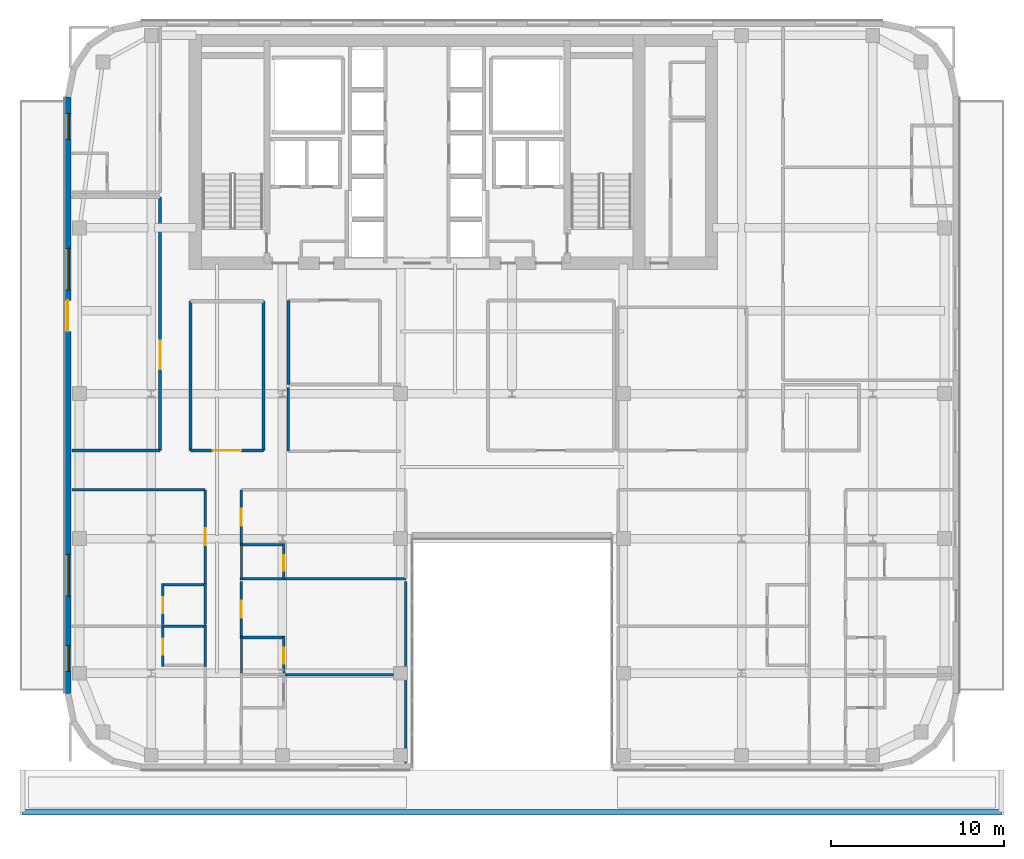
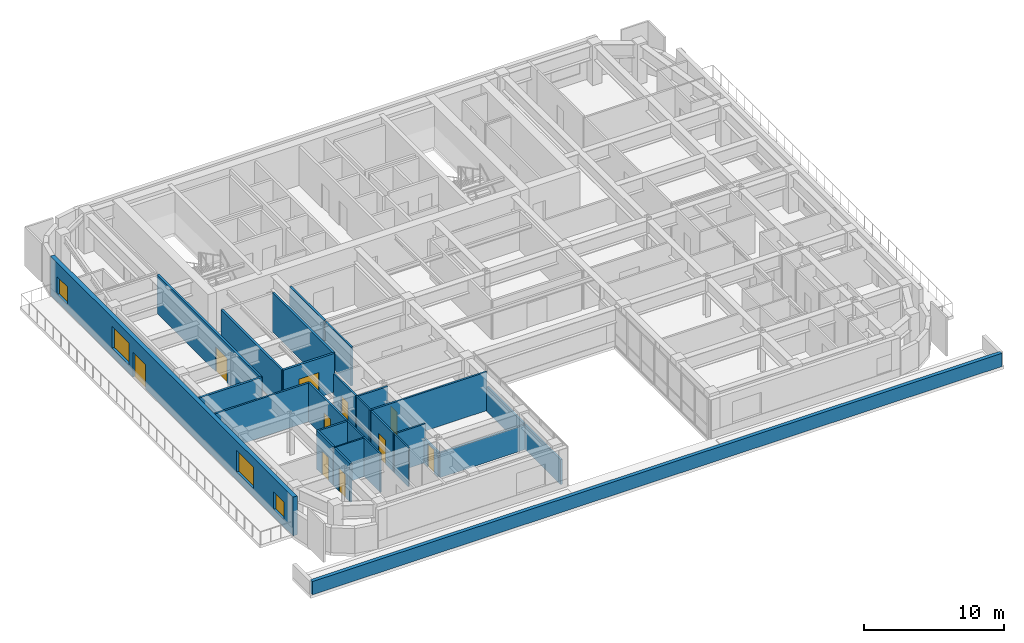
# One storey, part 10 of 20: 29 walls, 10 doors, 4 windows, 14 openings.
"""IFC4 building model written with IfcOpenShell, lengths in metres."""

from ifc_helpers import new_model, si_unit, direction, frame, frame_2d, origin, place, context, subcontext, project, spatial, rectangle, extrude, source, transform, mapped, material, layer, layer_set, type_object, type_shapes, element, fill, save


model = new_model("IFC4")

# Units and contexts
model_context = context("Model", 3, precision=1e-05, world=origin(), true_north=direction((0.0, 1.0)))
body_context = subcontext(model_context, "Body", "Model", "MODEL_VIEW")
ifc_project = project(units=[si_unit("LENGTHUNIT", "METRE"), si_unit("AREAUNIT", "SQUARE_METRE"), si_unit("VOLUMEUNIT", "CUBIC_METRE"), si_unit("PLANEANGLEUNIT", "RADIAN"), si_unit("MASSUNIT", "GRAM", prefix="KILO")], contexts=[model_context])

# Site, building, storey
site_placement = place(None, origin())
site = spatial("IfcSite", under=ifc_project, at=site_placement, CompositionType="ELEMENT")
building_placement = place(site_placement, origin())
building = spatial("IfcBuilding", under=site, at=building_placement, Name="Tolvann Quenvar Hotel", CompositionType="ELEMENT")
storey_placement = place(building_placement, frame((0.0, 0.0, 147.050048828125)))
storey = spatial("IfcBuildingStorey", under=building, at=storey_placement, Name="L38", CompositionType="ELEMENT", Elevation=147.050048828125)

# Wall, openings, windows, door
ifc_material_1 = material(Name="Kiln-fired red and buff architectural clay brickwork and terracotta masonry", Category="masonry")
ifc_layer_1 = layer(ifc_material_1, 0.35009765625)
ifc_layer_set_1 = layer_set([ifc_layer_1], Name="Kiln-fired red and buff architectural clay brickwork and terracotta masonry")
wall_type_1 = type_object("IfcWallType", Name="WALL_EXT_BRICK_350", PredefinedType="SOLIDWALL", material=ifc_layer_set_1)
wall_1_placement = place(storey_placement, frame((2.77490234375, 41.582763671875, 0.0), z_axis=(0.0, 0.0, 1.0), x_axis=(0.0, -1.0, 0.0)))
wall_1 = element("IfcWall", 1, at=wall_1_placement, inside=storey, type_object=wall_type_1, Name="Exterior Chicago Brick Wall L38-E23", PredefinedType="SOLIDWALL", context=body_context, shape_type="SweptSolid", body=[
    extrude(rectangle(XDim=34.565673828125, YDim=0.35009765625, at=frame_2d((17.28271484375, 0.0))), origin(), (0.0, 0.0, 1.0), 3.369873046875),
])
opening_1_placement = place(wall_1_placement, frame((13.5830078125, 0.0, 0.0), z_axis=(0.0, 0.0, 1.0), x_axis=(-1.0, 0.0, 0.0)))
opening_1 = element("IfcOpeningElement", 2, at=opening_1_placement, cuts=wall_1, Name="Opening TD-01", PredefinedType="OPENING", context=body_context, shape_type="SweptSolid", body=[
    extrude(rectangle(XDim=1.800048828125, YDim=2.14990234375, at=frame_2d((0.89990234375, 1.074951171875))), frame((0.0, 0.18505859375, 0.0), z_axis=(0.0, -1.0, 0.0), x_axis=(1.0, 0.0, 0.0)), (0.0, 0.0, 1.0), 0.3701171875),
])
opening_2_placement = place(wall_1_placement, frame((8.777099609375, 0.0, 0.679931640625)))
opening_2 = element("IfcOpeningElement", 3, at=opening_2_placement, cuts=wall_1, Name="Opening W-01", PredefinedType="OPENING", context=body_context, shape_type="SweptSolid", body=[
    extrude(rectangle(XDim=2.39990234375, YDim=1.89990234375, at=frame_2d((1.199951171875, 0.949951171875))), frame((0.0, 0.18505859375, 0.0), z_axis=(0.0, -1.0, 0.0), x_axis=(1.0, 0.0, 0.0)), (0.0, 0.0, 1.0), 0.3701171875),
])
opening_3_placement = place(wall_1_placement, frame((26.510009765625, 0.0, 0.679931640625)))
opening_3 = element("IfcOpeningElement", 4, at=opening_3_placement, cuts=wall_1, Name="Opening W-01", PredefinedType="OPENING", context=body_context, shape_type="SweptSolid", body=[
    extrude(rectangle(XDim=2.39990234375, YDim=1.89990234375, at=frame_2d((1.199951171875, 0.949951171875))), frame((0.0, 0.18505859375, 0.0), z_axis=(0.0, -1.0, 0.0), x_axis=(1.0, 0.0, 0.0)), (0.0, 0.0, 1.0), 0.3701171875),
])
opening_4_placement = place(wall_1_placement, frame((31.779052734375, 0.0, 0.6201171875)))
opening_4 = element("IfcOpeningElement", 5, at=opening_4_placement, cuts=wall_1, Name="Opening W-08", PredefinedType="OPENING", context=body_context, shape_type="SweptSolid", body=[
    extrude(rectangle(XDim=1.5, YDim=1.550048828125, at=frame_2d((0.75, 0.77490234375))), frame((0.0, 0.18505859375, 0.0), z_axis=(0.0, -1.0, 0.0), x_axis=(1.0, 0.0, 0.0)), (0.0, 0.0, 1.0), 0.3701171875),
])
opening_5_placement = place(wall_1_placement, frame((0.9609375, 0.0, 0.6201171875)))
opening_5 = element("IfcOpeningElement", 6, at=opening_5_placement, cuts=wall_1, Name="Opening W-08", PredefinedType="OPENING", context=body_context, shape_type="SweptSolid", body=[
    extrude(rectangle(XDim=1.5, YDim=1.550048828125, at=frame_2d((0.75, 0.77490234375))), frame((0.0, 0.18505859375, 0.0), z_axis=(0.0, -1.0, 0.0), x_axis=(1.0, 0.0, 0.0)), (0.0, 0.0, 1.0), 0.3701171875),
])
ifc_material_2 = material(Name="Thermally broken bronze-anodised aluminium frame with double low-E glazing", Category="aluminium")
window_type_1 = type_object("IfcWindowType", Name="WIN_COR_1500x2050", PartitioningType="SINGLE_PANEL", PredefinedType="WINDOW", material=ifc_material_2)
shared_shape_1 = source(origin(), body_context, "Body", "SweptSolid", [
    extrude(rectangle(XDim=1.5, YDim=1.550048828125, at=frame_2d((0.75, 0.77490234375))), frame((0.0, 0.090087890625, 0.0), z_axis=(0.0, -1.0, 0.0), x_axis=(1.0, 0.0, 0.0)), (0.0, 0.0, 1.0), 0.06005859375),
])
type_shapes(window_type_1, [shared_shape_1])
window_1_placement = place(opening_4_placement, origin())
window_1 = element("IfcWindow", 7, at=window_1_placement, inside=storey, type_object=window_type_1, Name="Chicago Window W-08 (EW-L38-E23-WD04)", OverallHeight=1.550048828125, OverallWidth=1.5, PartitioningType="SINGLE_PANEL", PredefinedType="WINDOW", context=body_context, shape_type="MappedRepresentation", body=[
    mapped(shared_shape_1, transform((0.0, 0.0, 0.0), x_axis=(1.0, 0.0, 0.0), y_axis=(0.0, 1.0, 0.0), z_axis=(0.0, 0.0, 1.0), scale=1.0)),
])
fill(opening_4, window_1)
window_2_placement = place(opening_5_placement, origin())
window_2 = element("IfcWindow", 8, at=window_2_placement, inside=storey, type_object=window_type_1, Name="Chicago Window W-08 (EW-L38-E23-WD05)", OverallHeight=1.550048828125, OverallWidth=1.5, PartitioningType="SINGLE_PANEL", PredefinedType="WINDOW", context=body_context, shape_type="MappedRepresentation", body=[
    mapped(shared_shape_1, transform((0.0, 0.0, 0.0), x_axis=(1.0, 0.0, 0.0), y_axis=(0.0, 1.0, 0.0), z_axis=(0.0, 0.0, 1.0), scale=1.0)),
])
fill(opening_5, window_2)
ifc_material_3 = material(Name="Bronze-anodised thermally broken aluminium glazed entrance door", Category="aluminium")
door_type_1 = type_object("IfcDoorType", Name="DOOR_EXT_TER_1800", OperationType="NOTDEFINED", PredefinedType="DOOR", material=ifc_material_3)
shared_shape_2 = source(origin(), body_context, "Body", "SweptSolid", [
    extrude(rectangle(XDim=1.800048828125, YDim=2.14990234375, at=frame_2d((0.89990234375, 1.074951171875))), frame((0.0, 0.02490234375, 0.0), z_axis=(0.0, -1.0, 0.0), x_axis=(1.0, 0.0, 0.0)), (0.0, 0.0, 1.0), 0.050048828125),
])
type_shapes(door_type_1, [shared_shape_2])
door_1_placement = place(opening_1_placement, origin())
door_1 = element("IfcDoor", 9, at=door_1_placement, inside=storey, type_object=door_type_1, Name="Level 38 West Sky Terrace Access Door", OperationType="DOUBLE_DOOR_SINGLE_SWING", OverallHeight=2.14990234375, OverallWidth=1.800048828125, PredefinedType="DOOR", context=body_context, shape_type="MappedRepresentation", body=[
    mapped(shared_shape_2, transform((0.0, 0.0, 0.0), x_axis=(1.0, 0.0, 0.0), y_axis=(0.0, 1.0, 0.0), z_axis=(0.0, 0.0, 1.0), scale=1.0)),
])
fill(opening_1, door_1)
window_type_2 = type_object("IfcWindowType", Name="WIN_CHI_2400x2050", PartitioningType="TRIPLE_PANEL_HORIZONTAL", PredefinedType="WINDOW", material=ifc_material_2)
shared_shape_3 = source(origin(), body_context, "Body", "SweptSolid", [
    extrude(rectangle(XDim=2.39990234375, YDim=1.89990234375, at=frame_2d((1.199951171875, 0.949951171875))), frame((0.0, 0.090087890625, 0.0), z_axis=(0.0, -1.0, 0.0), x_axis=(1.0, 0.0, 0.0)), (0.0, 0.0, 1.0), 0.06005859375),
])
type_shapes(window_type_2, [shared_shape_3])
window_3_placement = place(opening_2_placement, origin())
window_3 = element("IfcWindow", 10, at=window_3_placement, inside=storey, type_object=window_type_2, Name="Chicago Window W-01 (EW-L38-E23-W01)", OverallHeight=1.89990234375, OverallWidth=2.39990234375, PartitioningType="TRIPLE_PANEL_HORIZONTAL", PredefinedType="WINDOW", context=body_context, shape_type="MappedRepresentation", body=[
    mapped(shared_shape_3, transform((0.0, 0.0, 0.0), x_axis=(1.0, 0.0, 0.0), y_axis=(0.0, 1.0, 0.0), z_axis=(0.0, 0.0, 1.0), scale=1.0)),
])
fill(opening_2, window_3)
window_4_placement = place(opening_3_placement, origin())
window_4 = element("IfcWindow", 11, at=window_4_placement, inside=storey, type_object=window_type_2, Name="Chicago Window W-01 (EW-L38-E23-W02)", OverallHeight=1.89990234375, OverallWidth=2.39990234375, PartitioningType="TRIPLE_PANEL_HORIZONTAL", PredefinedType="WINDOW", context=body_context, shape_type="MappedRepresentation", body=[
    mapped(shared_shape_3, transform((0.0, 0.0, 0.0), x_axis=(1.0, 0.0, 0.0), y_axis=(0.0, 1.0, 0.0), z_axis=(0.0, 0.0, 1.0), scale=1.0)),
])
fill(opening_3, window_4)

# Wall
ifc_layer_2 = layer(ifc_material_1, 0.300048828125)
ifc_layer_set_2 = layer_set([ifc_layer_2], Name="Kiln-fired red and buff architectural clay brickwork and terracotta masonry")
wall_type_2 = type_object("IfcWallType", Name="WALL_PARAPET_300", PredefinedType="PARAPET", material=ifc_layer_set_2)
wall_2_placement = place(storey_placement, frame((0.14990234375, 0.14990234375, 0.0), z_axis=(0.0, 0.0, 1.0), x_axis=(1.0, 0.0, 0.0)))
element("IfcWall", 12, at=wall_2_placement, inside=storey, type_object=wall_type_2, Name="Setback Roof Parapet L38-S", PredefinedType="PARAPET", context=body_context, shape_type="SweptSolid", body=[
    extrude(rectangle(XDim=56.7001953125, YDim=0.300048828125, at=frame_2d((28.35009765625, 0.0))), origin(), (0.0, 0.0, 1.0), 1.14990234375),
])

# Wall, opening, door
ifc_material_4 = material(Name="Acoustic twin-stud fire-rated gypsum plasterboard partition")
ifc_layer_3 = layer(ifc_material_4, 0.179931640625)
ifc_layer_set_3 = layer_set([ifc_layer_3], Name="Acoustic twin-stud fire-rated gypsum plasterboard partition")
wall_type_3 = type_object("IfcWallType", Name="WALL_PART_ACOUSTIC_180", PredefinedType="PARTITIONING", material=ifc_layer_set_3)
wall_3_placement = place(storey_placement, frame((8.1201171875, 21.10009765625, 0.0), z_axis=(0.0, 0.0, 1.0), x_axis=(0.0, 1.0, 0.0)))
wall_3 = element("IfcWall", 13, at=wall_3_placement, inside=storey, type_object=wall_type_3, Name="Interior Partition PT-SPC-L38-SAL-ENT", PredefinedType="PARTITIONING", context=body_context, shape_type="SweptSolid", body=[
    extrude(rectangle(XDim=14.699951171875, YDim=0.179931640625, at=frame_2d((7.35009765625, 0.0))), origin(), (0.0, 0.0, 1.0), 3.369873046875),
])
opening_6_placement = place(wall_3_placement, frame((4.699951171875, 0.0, 0.0)))
opening_6 = element("IfcOpeningElement", 14, at=opening_6_placement, cuts=wall_3, Name="Opening AD-01", PredefinedType="OPENING", context=body_context, shape_type="SweptSolid", body=[
    extrude(rectangle(XDim=1.64990234375, YDim=2.14990234375, at=frame_2d((0.824951171875, 1.074951171875))), frame((0.0, 0.10009765625, 0.0), z_axis=(0.0, -1.0, 0.0), x_axis=(1.0, 0.0, 0.0)), (0.0, 0.0, 1.0), 0.199951171875),
])
ifc_material_5 = material(Name="Solid-core American oak acoustic fire door leaf in steel frame", Category="steel")
door_type_2 = type_object("IfcDoorType", Name="DOOR_SALON_1650", OperationType="NOTDEFINED", PredefinedType="DOOR", material=ifc_material_5)
shared_shape_4 = source(origin(), body_context, "Body", "SweptSolid", [
    extrude(rectangle(XDim=1.64990234375, YDim=2.14990234375, at=frame_2d((0.824951171875, 1.074951171875))), frame((0.0, 0.02490234375, 0.0), z_axis=(0.0, -1.0, 0.0), x_axis=(1.0, 0.0, 0.0)), (0.0, 0.0, 1.0), 0.050048828125),
])
type_shapes(door_type_2, [shared_shape_4])
door_2_placement = place(opening_6_placement, origin())
door_2 = element("IfcDoor", 15, at=door_2_placement, inside=storey, type_object=door_type_2, Name="Interior Door DOOR-SPC-L38-SAL", OperationType="DOUBLE_DOOR_SINGLE_SWING", OverallHeight=2.14990234375, OverallWidth=1.64990234375, PredefinedType="DOOR", context=body_context, shape_type="MappedRepresentation", body=[
    mapped(shared_shape_4, transform((0.0, 0.0, 0.0), x_axis=(1.0, 0.0, 0.0), y_axis=(0.0, 1.0, 0.0), z_axis=(0.0, 0.0, 1.0), scale=1.0)),
])
fill(opening_6, door_2)

# Wall
wall_4_placement = place(storey_placement, frame((3.0048828125, 21.10009765625, 0.0), z_axis=(0.0, 0.0, 1.0), x_axis=(1.0, 0.0, 0.0)))
element("IfcWall", 16, at=wall_4_placement, inside=storey, type_object=wall_type_3, Name="Interior Partition PT-SPC-L38-SAL-S", PredefinedType="PARTITIONING", context=body_context, shape_type="SweptSolid", body=[
    extrude(rectangle(XDim=5.115234375, YDim=0.179931640625, at=frame_2d((2.5576171875, 0.0))), origin(), (0.0, 0.0, 1.0), 3.369873046875),
])

# Wall, opening, door
wall_5_placement = place(storey_placement, frame((9.8798828125, 21.10009765625, 0.0), z_axis=(0.0, 0.0, 1.0), x_axis=(1.0, 0.0, 0.0)))
wall_5 = element("IfcWall", 17, at=wall_5_placement, inside=storey, type_object=wall_type_3, Name="Interior Partition PT-SPC-L38-MSP-W-S", PredefinedType="PARTITIONING", context=body_context, shape_type="SweptSolid", body=[
    extrude(rectangle(XDim=4.22021484375, YDim=0.179931640625, at=frame_2d((2.110107421875, 0.0))), origin(), (0.0, 0.0, 1.0), 3.369873046875),
])
opening_7_placement = place(wall_5_placement, frame((1.284912109375, 0.0, 0.0)))
opening_7 = element("IfcOpeningElement", 18, at=opening_7_placement, cuts=wall_5, Name="Opening AD-01", PredefinedType="OPENING", context=body_context, shape_type="SweptSolid", body=[
    extrude(rectangle(XDim=1.64990234375, YDim=2.14990234375, at=frame_2d((0.824951171875, 1.074951171875))), frame((0.0, 0.10009765625, 0.0), z_axis=(0.0, -1.0, 0.0), x_axis=(1.0, 0.0, 0.0)), (0.0, 0.0, 1.0), 0.199951171875),
])
door_3_placement = place(opening_7_placement, origin())
door_3 = element("IfcDoor", 19, at=door_3_placement, inside=storey, type_object=door_type_2, Name="Interior Door DOOR-SPC-L38-MSP-W", OperationType="DOUBLE_DOOR_SINGLE_SWING", OverallHeight=2.14990234375, OverallWidth=1.64990234375, PredefinedType="DOOR", context=body_context, shape_type="MappedRepresentation", body=[
    mapped(shared_shape_4, transform((0.0, 0.0, 0.0), x_axis=(1.0, 0.0, 0.0), y_axis=(0.0, 1.0, 0.0), z_axis=(0.0, 0.0, 1.0), scale=1.0)),
])
fill(opening_7, door_3)

# Walls
for number, where, z_axis, x_axis, name in (
    (20, (9.8798828125, 21.10009765625, 0.0), (0.0, 0.0, 1.0), (0.0, 1.0, 0.0), "Interior Partition PT-SPC-L38-MSP-W-W"),
    (21, (14.10009765625, 21.10009765625, 0.0), (0.0, 0.0, 1.0), (0.0, 1.0, 0.0), "Interior Partition PT-SPC-L38-MSP-W-E"),
):
    element("IfcWall", number, at=place(storey_placement, frame(where, z_axis=z_axis, x_axis=x_axis)), inside=storey, type_object=wall_type_3, Name=name, PredefinedType="PARTITIONING", context=body_context, shape_type="SweptSolid", body=[
        extrude(rectangle(XDim=8.64990234375, YDim=0.179931640625, at=frame_2d((4.324951171875, 0.0))), origin(), (0.0, 0.0, 1.0), 3.369873046875),
    ])
wall_6_placement = place(storey_placement, frame((15.550048828125, 24.919921875, 0.0), z_axis=(0.0, 0.0, 1.0), x_axis=(0.0, 1.0, 0.0)))
element("IfcWall", 22, at=wall_6_placement, inside=storey, type_object=wall_type_3, Name="Interior Partition PT-SPC-L38-MSP-N-W", PredefinedType="PARTITIONING", context=body_context, shape_type="SweptSolid", body=[
    extrude(rectangle(XDim=4.880126953125, YDim=0.179931640625, at=frame_2d((2.43994140625, 0.0))), origin(), (0.0, 0.0, 1.0), 3.369873046875),
])
ifc_material_6 = material(Name="Moisture-resistant acoustic plumbing wall assembly")
ifc_layer_4 = layer(ifc_material_6, 0.1201171875)
ifc_layer_set_4 = layer_set([ifc_layer_4], Name="Moisture-resistant acoustic plumbing wall assembly")
wall_type_4 = type_object("IfcWallType", Name="WALL_PART_BATH_120", PredefinedType="PLUMBINGWALL", material=ifc_layer_set_4)
wall_7_placement = place(storey_placement, frame((8.2099609375, 10.919921875, 0.0), z_axis=(0.0, 0.0, 1.0), x_axis=(1.0, 0.0, 0.0)))
element("IfcWall", 23, at=wall_7_placement, inside=storey, type_object=wall_type_4, Name="Non-Rated Plumbing Partition PT-SPC-L38-ENS-WO01-N", PredefinedType="PLUMBINGWALL", context=body_context, shape_type="SweptSolid", body=[
    extrude(rectangle(XDim=2.590087890625, YDim=0.1201171875, at=frame_2d((1.294921875, 0.0))), origin(), (0.0, 0.0, 1.0), 3.369873046875),
])
for number, where, z_axis, x_axis, name in (
    (24, (10.72998046875, 8.60009765625, 0.0), (0.0, 0.0, 1.0), (0.0, 1.0, 0.0), "Non-Rated Plumbing Partition PT-SPC-L38-ENS-WO01-E"),
    (25, (10.72998046875, 11.010009765625, 0.0), (0.0, 0.0, 1.0), (0.0, 1.0, 0.0), "Non-Rated Plumbing Partition PT-SPC-L38-ENS-WO02-E"),
):
    element("IfcWall", number, at=place(storey_placement, frame(where, z_axis=z_axis, x_axis=x_axis)), inside=storey, type_object=wall_type_4, Name=name, PredefinedType="PLUMBINGWALL", context=body_context, shape_type="SweptSolid", body=[
        extrude(rectangle(XDim=2.389892578125, YDim=0.1201171875, at=frame_2d((1.19482421875, 0.0))), origin(), (0.0, 0.0, 1.0), 3.369873046875),
    ])
wall_8_placement = place(storey_placement, frame((12.820068359375, 8.2099609375, 0.0), z_axis=(0.0, 0.0, 1.0), x_axis=(0.0, 1.0, 0.0)))
element("IfcWall", 26, at=wall_8_placement, inside=storey, type_object=wall_type_4, Name="Non-Rated Plumbing Partition PT-SPC-L38-ENS-WI02-W", PredefinedType="PLUMBINGWALL", context=body_context, shape_type="SweptSolid", body=[
    extrude(rectangle(XDim=2.131103515625, YDim=0.1201171875, at=frame_2d((1.0654296875, 0.0))), origin(), (0.0, 0.0, 1.0), 3.369873046875),
])
wall_9_placement = place(storey_placement, frame((12.820068359375, 13.610107421875, 0.0), z_axis=(0.0, 0.0, 1.0), x_axis=(0.0, 1.0, 0.0)))
element("IfcWall", 27, at=wall_9_placement, inside=storey, type_object=wall_type_4, Name="Non-Rated Plumbing Partition PT-SPC-L38-ENS-WI03-W", PredefinedType="PLUMBINGWALL", context=body_context, shape_type="SweptSolid", body=[
    extrude(rectangle(XDim=2.0927734375, YDim=0.1201171875, at=frame_2d((1.04638671875, 0.0))), origin(), (0.0, 0.0, 1.0), 3.369873046875),
])

# Wall, opening, door
ifc_layer_5 = layer(ifc_material_4, 0.14990234375)
ifc_layer_set_5 = layer_set([ifc_layer_5], Name="Acoustic twin-stud fire-rated gypsum plasterboard partition")
wall_type_5 = type_object("IfcWallType", Name="WALL_PART_SUITE_150", PredefinedType="PARTITIONING", material=ifc_layer_set_5)
wall_10_placement = place(storey_placement, frame((8.280029296875, 8.60009765625, 0.0), z_axis=(0.0, 0.0, 1.0), x_axis=(0.0, 1.0, 0.0)))
wall_10 = element("IfcWall", 28, at=wall_10_placement, inside=storey, type_object=wall_type_5, Name="Interior Partition PT-SPC-L38-ENS-WO01-ENT", PredefinedType="PARTITIONING", context=body_context, shape_type="SweptSolid", body=[
    extrude(rectangle(XDim=2.389892578125, YDim=0.14990234375, at=frame_2d((1.19482421875, 0.0))), origin(), (0.0, 0.0, 1.0), 3.369873046875),
])
opening_8_placement = place(wall_10_placement, frame((0.6650390625, 0.0, 0.0)))
opening_8 = element("IfcOpeningElement", 29, at=opening_8_placement, cuts=wall_10, Name="Opening WD-01", PredefinedType="OPENING", context=body_context, shape_type="SweptSolid", body=[
    extrude(rectangle(XDim=0.919921875, YDim=2.010009765625, at=frame_2d((0.4599609375, 1.0048828125))), frame((0.0, 0.0849609375, 0.0), z_axis=(0.0, -1.0, 0.0), x_axis=(1.0, 0.0, 0.0)), (0.0, 0.0, 1.0), 0.169921875),
])
door_type_3 = type_object("IfcDoorType", Name="DOOR_WC_920", OperationType="NOTDEFINED", PredefinedType="DOOR", material=ifc_material_5)
shared_shape_5 = source(origin(), body_context, "Body", "SweptSolid", [
    extrude(rectangle(XDim=0.919921875, YDim=2.010009765625, at=frame_2d((0.4599609375, 1.0048828125))), frame((0.0, 0.02490234375, 0.0), z_axis=(0.0, -1.0, 0.0), x_axis=(1.0, 0.0, 0.0)), (0.0, 0.0, 1.0), 0.050048828125),
])
type_shapes(door_type_3, [shared_shape_5])
door_4_placement = place(opening_8_placement, origin())
door_4 = element("IfcDoor", 30, at=door_4_placement, inside=storey, type_object=door_type_3, Name="Interior Door DOOR-SPC-L38-ENS-WO01", OperationType="SINGLE_SWING_LEFT", OverallHeight=2.010009765625, OverallWidth=0.919921875, PredefinedType="DOOR", context=body_context, shape_type="MappedRepresentation", body=[
    mapped(shared_shape_5, transform((0.0, 0.0, 0.0), x_axis=(1.0, 0.0, 0.0), y_axis=(0.0, 1.0, 0.0), z_axis=(0.0, 0.0, 1.0), scale=1.0)),
])
fill(opening_8, door_4)

wall_11_placement = place(storey_placement, frame((8.280029296875, 11.010009765625, 0.0), z_axis=(0.0, 0.0, 1.0), x_axis=(0.0, 1.0, 0.0)))
wall_11 = element("IfcWall", 31, at=wall_11_placement, inside=storey, type_object=wall_type_5, Name="Interior Partition PT-SPC-L38-ENS-WO02-ENT", PredefinedType="PARTITIONING", context=body_context, shape_type="SweptSolid", body=[
    extrude(rectangle(XDim=2.389892578125, YDim=0.14990234375, at=frame_2d((1.19482421875, 0.0))), origin(), (0.0, 0.0, 1.0), 3.369873046875),
])
opening_9_placement = place(wall_11_placement, frame((0.6650390625, 0.0, 0.0)))
opening_9 = element("IfcOpeningElement", 32, at=opening_9_placement, cuts=wall_11, Name="Opening WD-01", PredefinedType="OPENING", context=body_context, shape_type="SweptSolid", body=[
    extrude(rectangle(XDim=0.919921875, YDim=2.010009765625, at=frame_2d((0.4599609375, 1.0048828125))), frame((0.0, 0.0849609375, 0.0), z_axis=(0.0, -1.0, 0.0), x_axis=(1.0, 0.0, 0.0)), (0.0, 0.0, 1.0), 0.169921875),
])
door_5_placement = place(opening_9_placement, origin())
door_5 = element("IfcDoor", 33, at=door_5_placement, inside=storey, type_object=door_type_3, Name="Interior Door DOOR-SPC-L38-ENS-WO02", OperationType="SINGLE_SWING_RIGHT", OverallHeight=2.010009765625, OverallWidth=0.919921875, PredefinedType="DOOR", context=body_context, shape_type="MappedRepresentation", body=[
    mapped(shared_shape_5, transform((0.0, 0.0, 0.0), x_axis=(1.0, 0.0, 0.0), y_axis=(0.0, 1.0, 0.0), z_axis=(0.0, 0.0, 1.0), scale=1.0)),
])
fill(opening_9, door_5)

# Wall
wall_12_placement = place(storey_placement, frame((8.2099609375, 13.330078125, 0.0), z_axis=(0.0, 0.0, 1.0), x_axis=(1.0, 0.0, 0.0)))
element("IfcWall", 34, at=wall_12_placement, inside=storey, type_object=wall_type_5, Name="Interior Partition PT-SPC-L38-ENS-WO02-N", PredefinedType="PARTITIONING", context=body_context, shape_type="SweptSolid", body=[
    extrude(rectangle(XDim=2.590087890625, YDim=0.14990234375, at=frame_2d((1.294921875, 0.0))), origin(), (0.0, 0.0, 1.0), 3.369873046875),
])

# Wall, opening, door
wall_13_placement = place(storey_placement, frame((15.27001953125, 8.2099609375, 0.0), z_axis=(0.0, 0.0, 1.0), x_axis=(0.0, 1.0, 0.0)))
wall_13 = element("IfcWall", 35, at=wall_13_placement, inside=storey, type_object=wall_type_5, Name="Interior Partition PT-SPC-L38-ENS-WI02-ENT", PredefinedType="PARTITIONING", context=body_context, shape_type="SweptSolid", body=[
    extrude(rectangle(XDim=2.131103515625, YDim=0.14990234375, at=frame_2d((1.0654296875, 0.0))), origin(), (0.0, 0.0, 1.0), 2.159912109375),
])
opening_10_placement = place(wall_13_placement, frame((0.535400390625, 0.0, 0.0)))
opening_10 = element("IfcOpeningElement", 36, at=opening_10_placement, cuts=wall_13, Name="Opening WD-01", PredefinedType="OPENING", context=body_context, shape_type="SweptSolid", body=[
    extrude(rectangle(XDim=0.919921875, YDim=2.010009765625, at=frame_2d((0.4599609375, 1.0048828125))), frame((0.0, 0.0849609375, 0.0), z_axis=(0.0, -1.0, 0.0), x_axis=(1.0, 0.0, 0.0)), (0.0, 0.0, 1.0), 0.169921875),
])
door_6_placement = place(opening_10_placement, origin())
door_6 = element("IfcDoor", 37, at=door_6_placement, inside=storey, type_object=door_type_3, Name="Interior Door DOOR-SPC-L38-ENS-WI02", OperationType="SINGLE_SWING_RIGHT", OverallHeight=2.010009765625, OverallWidth=0.919921875, PredefinedType="DOOR", context=body_context, shape_type="MappedRepresentation", body=[
    mapped(shared_shape_5, transform((0.0, 0.0, 0.0), x_axis=(1.0, 0.0, 0.0), y_axis=(0.0, 1.0, 0.0), z_axis=(0.0, 0.0, 1.0), scale=1.0)),
])
fill(opening_10, door_6)

# Wall
wall_14_placement = place(storey_placement, frame((12.75, 10.27099609375, 0.0), z_axis=(0.0, 0.0, 1.0), x_axis=(1.0, 0.0, 0.0)))
element("IfcWall", 38, at=wall_14_placement, inside=storey, type_object=wall_type_5, Name="Interior Partition PT-SPC-L38-ENS-WI02-N", PredefinedType="PARTITIONING", context=body_context, shape_type="SweptSolid", body=[
    extrude(rectangle(XDim=2.590087890625, YDim=0.14990234375, at=frame_2d((1.294921875, 0.0))), origin(), (0.0, 0.0, 1.0), 3.369873046875),
])

# Wall, opening, door
wall_15_placement = place(storey_placement, frame((15.27001953125, 13.610107421875, 0.0), z_axis=(0.0, 0.0, 1.0), x_axis=(0.0, 1.0, 0.0)))
wall_15 = element("IfcWall", 39, at=wall_15_placement, inside=storey, type_object=wall_type_5, Name="Interior Partition PT-SPC-L38-ENS-WI03-ENT", PredefinedType="PARTITIONING", context=body_context, shape_type="SweptSolid", body=[
    extrude(rectangle(XDim=2.0927734375, YDim=0.14990234375, at=frame_2d((1.04638671875, 0.0))), origin(), (0.0, 0.0, 1.0), 2.159912109375),
])
opening_11_placement = place(wall_15_placement, frame((0.5166015625, 0.0, 0.0)))
opening_11 = element("IfcOpeningElement", 40, at=opening_11_placement, cuts=wall_15, Name="Opening WD-01", PredefinedType="OPENING", context=body_context, shape_type="SweptSolid", body=[
    extrude(rectangle(XDim=0.919921875, YDim=2.010009765625, at=frame_2d((0.4599609375, 1.0048828125))), frame((0.0, 0.0849609375, 0.0), z_axis=(0.0, -1.0, 0.0), x_axis=(1.0, 0.0, 0.0)), (0.0, 0.0, 1.0), 0.169921875),
])
door_7_placement = place(opening_11_placement, origin())
door_7 = element("IfcDoor", 41, at=door_7_placement, inside=storey, type_object=door_type_3, Name="Interior Door DOOR-SPC-L38-ENS-WI03", OperationType="SINGLE_SWING_LEFT", OverallHeight=2.010009765625, OverallWidth=0.919921875, PredefinedType="DOOR", context=body_context, shape_type="MappedRepresentation", body=[
    mapped(shared_shape_5, transform((0.0, 0.0, 0.0), x_axis=(1.0, 0.0, 0.0), y_axis=(0.0, 1.0, 0.0), z_axis=(0.0, 0.0, 1.0), scale=1.0)),
])
fill(opening_11, door_7)

# Walls
wall_16_placement = place(storey_placement, frame((12.75, 13.679931640625, 0.0), z_axis=(0.0, 0.0, 1.0), x_axis=(1.0, 0.0, 0.0)))
element("IfcWall", 42, at=wall_16_placement, inside=storey, type_object=wall_type_5, Name="Interior Partition PT-SPC-L38-ENS-WI03-S", PredefinedType="PARTITIONING", context=body_context, shape_type="SweptSolid", body=[
    extrude(rectangle(XDim=9.60009765625, YDim=0.14990234375, at=frame_2d((4.800048828125, 0.0))), origin(), (0.0, 0.0, 1.0), 3.369873046875),
])
wall_17_placement = place(storey_placement, frame((12.75, 15.633056640625, 0.0), z_axis=(0.0, 0.0, 1.0), x_axis=(1.0, 0.0, 0.0)))
element("IfcWall", 43, at=wall_17_placement, inside=storey, type_object=wall_type_5, Name="Interior Partition PT-SPC-L38-ENS-WI03-N", PredefinedType="PARTITIONING", context=body_context, shape_type="SweptSolid", body=[
    extrude(rectangle(XDim=2.590087890625, YDim=0.14990234375, at=frame_2d((1.294921875, 0.0))), origin(), (0.0, 0.0, 1.0), 3.369873046875),
])

# Wall, opening, door
wall_18_placement = place(storey_placement, frame((10.72998046875, 13.409912109375, 0.0), z_axis=(0.0, 0.0, 1.0), x_axis=(0.0, 1.0, 0.0)))
wall_18 = element("IfcWall", 44, at=wall_18_placement, inside=storey, type_object=wall_type_5, Name="Interior Partition PT-SPC-L38-RM-WO02-ENT", PredefinedType="PARTITIONING", context=body_context, shape_type="SweptSolid", body=[
    extrude(rectangle(XDim=5.41015625, YDim=0.14990234375, at=frame_2d((2.705078125, 0.0))), origin(), (0.0, 0.0, 1.0), 3.369873046875),
])
opening_12_placement = place(wall_18_placement, frame((2.195068359375, 0.0, 0.0)))
opening_12 = element("IfcOpeningElement", 45, at=opening_12_placement, cuts=wall_18, Name="Opening SD-01", PredefinedType="OPENING", context=body_context, shape_type="SweptSolid", body=[
    extrude(rectangle(XDim=0.97998046875, YDim=2.1201171875, at=frame_2d((0.489990234375, 1.06005859375))), frame((0.0, 0.0849609375, 0.0), z_axis=(0.0, -1.0, 0.0), x_axis=(1.0, 0.0, 0.0)), (0.0, 0.0, 1.0), 0.169921875),
])
door_type_4 = type_object("IfcDoorType", Name="DOOR_SUITE_980", OperationType="NOTDEFINED", PredefinedType="DOOR", material=ifc_material_5)
shared_shape_6 = source(origin(), body_context, "Body", "SweptSolid", [
    extrude(rectangle(XDim=0.97998046875, YDim=2.1201171875, at=frame_2d((0.489990234375, 1.06005859375))), frame((0.0, 0.02490234375, 0.0), z_axis=(0.0, -1.0, 0.0), x_axis=(1.0, 0.0, 0.0)), (0.0, 0.0, 1.0), 0.050048828125),
])
type_shapes(door_type_4, [shared_shape_6])
door_8_placement = place(opening_12_placement, origin())
door_8 = element("IfcDoor", 46, at=door_8_placement, inside=storey, type_object=door_type_4, Name="Interior Door DOOR-SPC-L38-RM-WO02", OperationType="SINGLE_SWING_LEFT", OverallHeight=2.1201171875, OverallWidth=0.97998046875, PredefinedType="DOOR", context=body_context, shape_type="MappedRepresentation", body=[
    mapped(shared_shape_6, transform((0.0, 0.0, 0.0), x_axis=(1.0, 0.0, 0.0), y_axis=(0.0, 1.0, 0.0), z_axis=(0.0, 0.0, 1.0), scale=1.0)),
])
fill(opening_12, door_8)

# Walls
wall_19_placement = place(storey_placement, frame((3.0048828125, 18.820068359375, 0.0), z_axis=(0.0, 0.0, 1.0), x_axis=(1.0, 0.0, 0.0)))
element("IfcWall", 47, at=wall_19_placement, inside=storey, type_object=wall_type_5, Name="Interior Partition PT-SPC-L38-RM-WO02-E5", PredefinedType="PARTITIONING", context=body_context, shape_type="SweptSolid", body=[
    extrude(rectangle(XDim=7.72509765625, YDim=0.14990234375, at=frame_2d((3.862548828125, 0.0))), origin(), (0.0, 0.0, 1.0), 3.369873046875),
])
wall_20_placement = place(storey_placement, frame((22.35009765625, 3.0048828125, 0.0), z_axis=(0.0, 0.0, 1.0), x_axis=(0.0, 1.0, 0.0)))
element("IfcWall", 48, at=wall_20_placement, inside=storey, type_object=wall_type_5, Name="Interior Partition PT-SPC-L38-RM-WI01-E2", PredefinedType="PARTITIONING", context=body_context, shape_type="SweptSolid", body=[
    extrude(rectangle(XDim=5.115234375, YDim=0.14990234375, at=frame_2d((2.5576171875, 0.0))), origin(), (0.0, 0.0, 1.0), 2.159912109375),
])
wall_21_placement = place(storey_placement, frame((15.2900390625, 8.1201171875, 0.0), z_axis=(0.0, 0.0, 1.0), x_axis=(1.0, 0.0, 0.0)))
element("IfcWall", 49, at=wall_21_placement, inside=storey, type_object=wall_type_5, Name="Interior Partition PT-SPC-L38-RM-WI01-E3", PredefinedType="PARTITIONING", context=body_context, shape_type="SweptSolid", body=[
    extrude(rectangle(XDim=7.06005859375, YDim=0.14990234375, at=frame_2d((3.530029296875, 0.0))), origin(), (0.0, 0.0, 1.0), 2.159912109375),
])

# Wall, opening, door
wall_22_placement = place(storey_placement, frame((12.820068359375, 10.35107421875, 0.0), z_axis=(0.0, 0.0, 1.0), x_axis=(0.0, 1.0, 0.0)))
wall_22 = element("IfcWall", 50, at=wall_22_placement, inside=storey, type_object=wall_type_5, Name="Interior Partition PT-SPC-L38-RM-WI02-ENT", PredefinedType="PARTITIONING", context=body_context, shape_type="SweptSolid", body=[
    extrude(rectangle(XDim=3.1689453125, YDim=0.14990234375, at=frame_2d((1.58447265625, 0.0))), origin(), (0.0, 0.0, 1.0), 3.369873046875),
])
opening_13_placement = place(wall_22_placement, frame((1.074462890625, 0.0, 0.0)))
opening_13 = element("IfcOpeningElement", 51, at=opening_13_placement, cuts=wall_22, Name="Opening SD-01", PredefinedType="OPENING", context=body_context, shape_type="SweptSolid", body=[
    extrude(rectangle(XDim=0.97998046875, YDim=2.1201171875, at=frame_2d((0.489990234375, 1.06005859375))), frame((0.0, 0.0849609375, 0.0), z_axis=(0.0, -1.0, 0.0), x_axis=(1.0, 0.0, 0.0)), (0.0, 0.0, 1.0), 0.169921875),
])
door_9_placement = place(opening_13_placement, origin())
door_9 = element("IfcDoor", 52, at=door_9_placement, inside=storey, type_object=door_type_4, Name="Interior Door DOOR-SPC-L38-RM-WI02", OperationType="SINGLE_SWING_LEFT", OverallHeight=2.1201171875, OverallWidth=0.97998046875, PredefinedType="DOOR", context=body_context, shape_type="MappedRepresentation", body=[
    mapped(shared_shape_6, transform((0.0, 0.0, 0.0), x_axis=(1.0, 0.0, 0.0), y_axis=(0.0, 1.0, 0.0), z_axis=(0.0, 0.0, 1.0), scale=1.0)),
])
fill(opening_13, door_9)

# Wall
wall_23_placement = place(storey_placement, frame((22.35009765625, 8.280029296875, 0.0), z_axis=(0.0, 0.0, 1.0), x_axis=(0.0, 1.0, 0.0)))
element("IfcWall", 53, at=wall_23_placement, inside=storey, type_object=wall_type_5, Name="Interior Partition PT-SPC-L38-RM-WI02-E4", PredefinedType="PARTITIONING", context=body_context, shape_type="SweptSolid", body=[
    extrude(rectangle(XDim=5.239990234375, YDim=0.14990234375, at=frame_2d((2.6201171875, 0.0))), origin(), (0.0, 0.0, 1.0), 2.159912109375),
])

# Wall, opening, door
wall_24_placement = place(storey_placement, frame((12.820068359375, 15.712890625, 0.0), z_axis=(0.0, 0.0, 1.0), x_axis=(0.0, 1.0, 0.0)))
wall_24 = element("IfcWall", 54, at=wall_24_placement, inside=storey, type_object=wall_type_5, Name="Interior Partition PT-SPC-L38-RM-WI03-ENT", PredefinedType="PARTITIONING", context=body_context, shape_type="SweptSolid", body=[
    extrude(rectangle(XDim=3.107177734375, YDim=0.14990234375, at=frame_2d((1.5537109375, 0.0))), origin(), (0.0, 0.0, 1.0), 3.369873046875),
])
opening_14_placement = place(wall_24_placement, frame((1.04345703125, 0.0, 0.0)))
opening_14 = element("IfcOpeningElement", 55, at=opening_14_placement, cuts=wall_24, Name="Opening SD-01", PredefinedType="OPENING", context=body_context, shape_type="SweptSolid", body=[
    extrude(rectangle(XDim=0.97998046875, YDim=2.1201171875, at=frame_2d((0.489990234375, 1.06005859375))), frame((0.0, 0.0849609375, 0.0), z_axis=(0.0, -1.0, 0.0), x_axis=(1.0, 0.0, 0.0)), (0.0, 0.0, 1.0), 0.169921875),
])
door_10_placement = place(opening_14_placement, origin())
door_10 = element("IfcDoor", 56, at=door_10_placement, inside=storey, type_object=door_type_4, Name="Interior Door DOOR-SPC-L38-RM-WI03", OperationType="SINGLE_SWING_RIGHT", OverallHeight=2.1201171875, OverallWidth=0.97998046875, PredefinedType="DOOR", context=body_context, shape_type="MappedRepresentation", body=[
    mapped(shared_shape_6, transform((0.0, 0.0, 0.0), x_axis=(1.0, 0.0, 0.0), y_axis=(0.0, 1.0, 0.0), z_axis=(0.0, 0.0, 1.0), scale=1.0)),
])
fill(opening_14, door_10)

# Wall
wall_25_placement = place(storey_placement, frame((15.550048828125, 21.070068359375, 0.0), z_axis=(0.0, 0.0, 1.0), x_axis=(0.0, 1.0, 0.0)))
element("IfcWall", 57, at=wall_25_placement, inside=storey, type_object=wall_type_5, Name="Interior Partition PT-SPC-L38-MSP-CTR-W", PredefinedType="PARTITIONING", context=body_context, shape_type="SweptSolid", body=[
    extrude(rectangle(XDim=3.679931640625, YDim=0.14990234375, at=frame_2d((1.83984375, 0.0))), origin(), (0.0, 0.0, 1.0), 3.369873046875),
])

save(model, "model.ifc")
